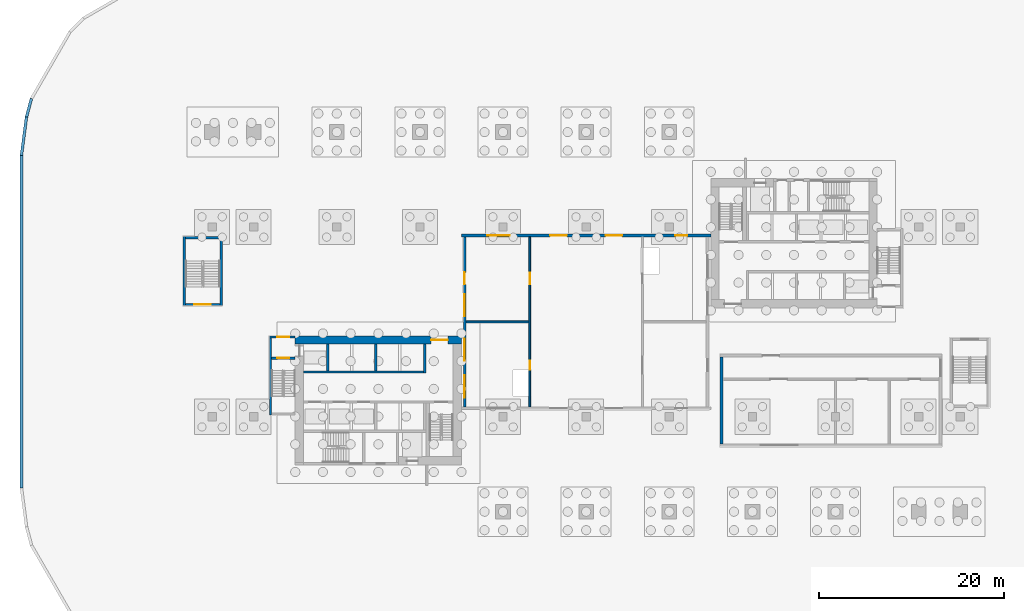
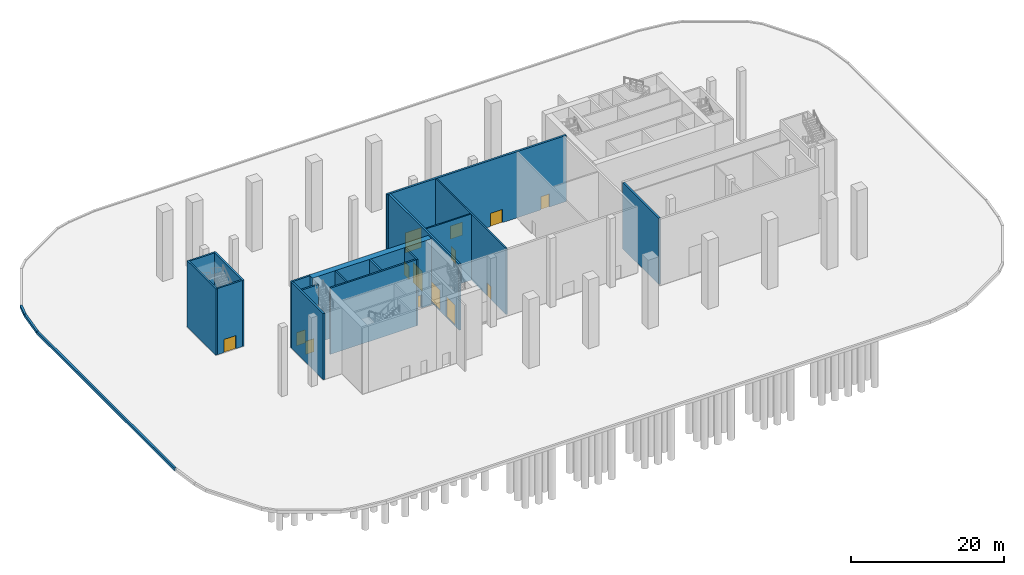
# One storey, part 6 of 26: 20 walls, 10 doors, 4 windows, 14 openings.
"""IFC4 building model written with IfcOpenShell, lengths in metres."""

import ifcopenshell
import ifcopenshell.guid

model = None  # the IFC model being written
_history = None  # IfcOwnerHistory: only IFC2X3 demands one
_inside = {}  # id of a spatial element -> (the spatial element, [elements in it])
_under = {}  # id of a project, library or spatial element -> (it, [spatial elements below it])
_declared = {}  # id of a project -> (the project, [libraries it declares])
_typed = {}  # id of a type object -> (the type object, [elements of that type])
_made_of = {}  # id of a material, layer set ... -> (it, [elements and type objects made of it])


def new_model(schema):
    """Start an empty IFC model of exactly this schema.

    Asked for "IFC4X3", IfcOpenShell would pick the latest addendum, in which some entities
    have other attributes; the version numbers below select the first issue.
    IFC2X3 requires an IfcOwnerHistory on every rooted entity: one is made here for all.
    """
    global model, _history
    if schema == "IFC4X3":
        model = ifcopenshell.file(schema_version=(4, 3, 0, 0))
    else:
        model = ifcopenshell.file(schema=schema)
    _inside.clear()
    _under.clear()
    _declared.clear()
    _typed.clear()
    _made_of.clear()
    _history = None
    if model.schema == "IFC2X3":
        org = make("IfcOrganization", Name="unknown")
        user = make(
            "IfcPersonAndOrganization",
            ThePerson=make("IfcPerson", FamilyName="unknown"),
            TheOrganization=org,
        )
        app = make(
            "IfcApplication",
            ApplicationDeveloper=org,
            Version="unknown",
            ApplicationFullName="unknown",
            ApplicationIdentifier="unknown",
        )
        _history = make(
            "IfcOwnerHistory",
            OwningUser=user,
            OwningApplication=app,
            ChangeAction="ADDED",
            CreationDate=0,
        )
    return model


def make(cls, **values):
    """One entity of the class cls with the attributes given. An attribute that is None is left unset."""
    return model.create_entity(
        cls, **{name: value for name, value in values.items() if value is not None}
    )


def rooted(cls, **values):
    """An entity with a GlobalId (a new one), such as an element, a storey or a relation."""
    return make(cls, GlobalId=ifcopenshell.guid.new(), OwnerHistory=_history, **values)


def si_unit(unit_type, name, prefix=None):
    """IfcSIUnit, for example si_unit("LENGTHUNIT", "METRE", prefix="MILLI")."""
    return make("IfcSIUnit", UnitType=unit_type, Prefix=prefix, Name=name)


def assignment(units):
    """IfcUnitAssignment: the units of a project."""
    return None if units is None else make("IfcUnitAssignment", Units=units)


def point(xyz):
    """IfcCartesianPoint."""
    return None if xyz is None else make("IfcCartesianPoint", Coordinates=xyz)


def direction(xyz):
    """IfcDirection."""
    return None if xyz is None else make("IfcDirection", DirectionRatios=xyz)


def frame(location, z_axis=None, x_axis=None):
    """IfcAxis2Placement3D, a coordinate frame: its origin and axes. An axis left out is left unset."""
    return make(
        "IfcAxis2Placement3D",
        Location=point(location),
        Axis=direction(z_axis),
        RefDirection=direction(x_axis),
    )


def frame_2d(location, x_axis=None):
    """IfcAxis2Placement2D, a coordinate frame in the plane: its origin and x axis."""
    return make(
        "IfcAxis2Placement2D", Location=point(location), RefDirection=direction(x_axis)
    )


def origin():
    """The frame at (0, 0, 0) with its axes left unset."""
    return frame((0.0, 0.0, 0.0))


def place(relative_to, where):
    """IfcLocalPlacement: puts the frame where relative to a parent placement (None: the world)."""
    return make(
        "IfcLocalPlacement", PlacementRelTo=relative_to, RelativePlacement=where
    )


def context(
    kind, dimensions, precision=None, world=None, true_north=None, identifier=None
):
    """IfcGeometricRepresentationContext, for example the 3D "Model" context."""
    return make(
        "IfcGeometricRepresentationContext",
        ContextIdentifier=identifier,
        ContextType=kind,
        CoordinateSpaceDimension=dimensions,
        Precision=precision,
        WorldCoordinateSystem=world,
        TrueNorth=true_north,
    )


def subcontext(parent, identifier, kind, view, scale=None):
    """IfcGeometricRepresentationSubContext, for example "Body" below "Model"."""
    return make(
        "IfcGeometricRepresentationSubContext",
        ContextIdentifier=identifier,
        ContextType=kind,
        ParentContext=parent,
        TargetScale=scale,
        TargetView=view,
    )


def project(units=None, contexts=None):
    """IfcProject with its units and contexts."""
    return rooted(
        "IfcProject",
        Name="project",
        RepresentationContexts=contexts,
        UnitsInContext=assignment(units),
    )


def spatial(cls, under=None, at=None, **own):
    """A site, building, storey or space (cls), placed at a placement, below another one or the project."""
    s = rooted(cls, ObjectPlacement=at, **own)
    if under is not None:
        _under.setdefault(under.id(), (under, []))[1].append(s)
    return s


def polyline(points):
    """IfcPolyline through the points."""
    return make("IfcPolyline", Points=[point(p) for p in points])


def profile(cls, at=None, kind="AREA", **sizes):
    """A parametric profile (cls). Its sizes go by their IFC names, for example OverallWidth=200.0."""
    return make(cls, ProfileType=kind, Position=at, **sizes)


def rectangle(**sizes):
    """IfcRectangleProfileDef."""
    return profile("IfcRectangleProfileDef", **sizes)


def outline(outer, holes=None, kind="AREA"):
    """IfcArbitraryClosedProfileDef: a profile drawn as a closed curve; with holes, ...WithVoids."""
    if holes is None:
        return make("IfcArbitraryClosedProfileDef", ProfileType=kind, OuterCurve=outer)
    return make(
        "IfcArbitraryProfileDefWithVoids",
        ProfileType=kind,
        OuterCurve=outer,
        InnerCurves=holes,
    )


def extrude(swept, where, along, depth):
    """IfcExtrudedAreaSolid: the profile swept, set in the frame where, extruded along a direction by depth."""
    return make(
        "IfcExtrudedAreaSolid",
        SweptArea=swept,
        Position=where,
        ExtrudedDirection=direction(along),
        Depth=depth,
    )


def shape(context_of_items, identifier, shape_type, items):
    """IfcShapeRepresentation: the items that make up one representation, for example the "Body"."""
    return make(
        "IfcShapeRepresentation",
        ContextOfItems=context_of_items,
        RepresentationIdentifier=identifier,
        RepresentationType=shape_type,
        Items=items,
    )


def material(Name=None, Category=None):
    """IfcMaterial."""
    return make("IfcMaterial", Name=Name, Category=Category)


def layer(
    of_material, thickness, ventilated=None, Name=None, Category=None, Priority=None
):
    """IfcMaterialLayer: one layer of a wall or slab, of a material (None: an air gap)."""
    return make(
        "IfcMaterialLayer",
        Material=of_material,
        LayerThickness=thickness,
        IsVentilated=ventilated,
        Name=Name,
        Category=Category,
        Priority=Priority,
    )


def layer_set(layers, Name=None):
    """IfcMaterialLayerSet."""
    return make("IfcMaterialLayerSet", MaterialLayers=layers, LayerSetName=Name)


def made_of(thing, what):
    """Note that an element or type object is made of a material, layer set ...; save() writes the relation."""
    if what is not None:
        _made_of.setdefault(what.id(), (what, []))[1].append(thing)
    return thing


def type_object(cls, material=None, **own):
    """A type object (cls), such as IfcWallType, which elements share."""
    return made_of(rooted(cls, **own), material)


def element(
    cls,
    number,
    at=None,
    inside=None,
    cuts=None,
    type_object=None,
    material=None,
    context=None,
    identifier="Body",
    shape_type=None,
    held_by="IfcProductDefinitionShape",
    body=None,
    shapes=None,
    **own,
):
    """One element of the class cls, such as IfcWall. Its Tag is "e" and its number.

    at: its placement. inside: the storey or other place that contains it. cuts: it is an
    opening in that element (IfcRelVoidsElement). A single representation is given by context,
    identifier, shape_type and body (its items); several are given by shapes. held_by: the class
    of the entity that holds the representations. save() writes the other relations.
    """
    e = rooted(cls, Tag="e%d" % number, ObjectPlacement=at, **own)
    if body is not None:
        shapes = [shape(context, identifier, shape_type, body)]
    if shapes is not None:
        e.Representation = make(held_by, Representations=shapes)
    if inside is not None:
        _inside.setdefault(inside.id(), (inside, []))[1].append(e)
    if cuts is not None:
        rooted(
            "IfcRelVoidsElement", RelatingBuildingElement=cuts, RelatedOpeningElement=e
        )
    if type_object is not None:
        _typed.setdefault(type_object.id(), (type_object, []))[1].append(e)
    return made_of(e, material)


def fill(opening, filler):
    """IfcRelFillsElement: the door or window that sits in an opening."""
    return rooted(
        "IfcRelFillsElement",
        RelatingOpeningElement=opening,
        RelatedBuildingElement=filler,
    )


def aggregate(whole, parts):
    """IfcRelAggregates: a whole, such as a stair, and the parts it consists of."""
    return rooted("IfcRelAggregates", RelatingObject=whole, RelatedObjects=parts)


def save(model, path):
    """Write the relations noted so far, then the file.

    IfcRelAggregates (storeys below a building ...), IfcRelContainedInSpatialStructure (elements
    in a storey), IfcRelDefinesByType, IfcRelAssociatesMaterial and IfcRelDeclares: one each for
    every whole, place, type object, material and project.
    """
    for whole, parts in _under.values():
        aggregate(whole, parts)
    for where, things in _inside.values():
        rooted(
            "IfcRelContainedInSpatialStructure",
            RelatedElements=things,
            RelatingStructure=where,
        )
    for kind, things in _typed.values():
        rooted("IfcRelDefinesByType", RelatedObjects=things, RelatingType=kind)
    for what, things in _made_of.values():
        rooted("IfcRelAssociatesMaterial", RelatedObjects=things, RelatingMaterial=what)
    for by, libraries in _declared.values():
        rooted("IfcRelDeclares", RelatingContext=by, RelatedDefinitions=libraries)
    model.write(path)


model = new_model("IFC4")

# Units and contexts
model_context = context("Model", 3, precision=1e-05, world=origin(), true_north=direction((0.0, 1.0)))
body_context = subcontext(model_context, "Body", "Model", "MODEL_VIEW")
ifc_project = project(units=[si_unit("LENGTHUNIT", "METRE"), si_unit("AREAUNIT", "SQUARE_METRE"), si_unit("VOLUMEUNIT", "CUBIC_METRE"), si_unit("PLANEANGLEUNIT", "RADIAN"), si_unit("MASSUNIT", "GRAM", prefix="KILO")], contexts=[model_context])

# Site, building, storey
site_placement = place(None, origin())
site = spatial("IfcSite", under=ifc_project, at=site_placement, CompositionType="ELEMENT")
building_placement = place(site_placement, origin())
building = spatial("IfcBuilding", under=site, at=building_placement, Name="Kajstack Hotel Tower", CompositionType="ELEMENT")
storey_placement = place(building_placement, origin())
storey = spatial("IfcBuildingStorey", under=building, at=storey_placement, Name="L00", CompositionType="ELEMENT", Elevation=0.0)

# Wall, opening, door
ifc_material_1 = material(Name="Concrete C60/75", Category="concrete")
ifc_layer_1 = layer(ifc_material_1, 0.89990234375)
ifc_layer_set_1 = layer_set([ifc_layer_1], Name="Core wall 900")
wall_type_1 = type_object("IfcWallType", Name="Core wall 900", PredefinedType="SHEAR", material=ifc_layer_set_1)
wall_1_placement = place(storey_placement, frame((-31.5, -1.949951171875, 0.0), z_axis=(0.0, 0.0, 1.0), x_axis=(1.0, 0.0, 0.0)))
wall_1 = element("IfcWall", 1, at=wall_1_placement, inside=storey, type_object=wall_type_1, Name="Core wall W RN", PredefinedType="SHEAR", context=body_context, shape_type="SweptSolid", body=[
    extrude(rectangle(XDim=18.0, YDim=0.89990234375, at=frame_2d((9.0, 0.0))), origin(), (0.0, 0.0, 1.0), 10.550048828125),
])
opening_1_placement = place(wall_1_placement, frame((14.72509765625, 0.0, 0.0)))
opening_1 = element("IfcOpeningElement", 2, at=opening_1_placement, cuts=wall_1, Name="Opening 00W06", PredefinedType="OPENING", context=body_context, shape_type="SweptSolid", body=[
    extrude(rectangle(XDim=1.800048828125, YDim=2.10009765625, at=frame_2d((0.89990234375, 1.050048828125))), frame((0.0, 0.4599609375, 0.0), z_axis=(0.0, -1.0, 0.0), x_axis=(1.0, 0.0, 0.0)), (0.0, 0.0, 1.0), 0.919921875),
])
ifc_material_2 = material(Name="Glazed steel frame, fire-rated glass", Category="steel")
door_type_1 = type_object("IfcDoorType", Name="Lobby double door 1800", OperationType="DOUBLE_DOOR_DOUBLE_SWING", PredefinedType="DOOR", material=ifc_material_2)
door_1_placement = place(opening_1_placement, origin())
door_1 = element("IfcDoor", 3, at=door_1_placement, inside=storey, type_object=door_type_1, Name="Door 00W06", OperationType="DOUBLE_DOOR_DOUBLE_SWING", OverallHeight=2.10009765625, OverallWidth=1.800048828125, PredefinedType="DOOR", context=body_context, shape_type="SweptSolid", body=[
    extrude(rectangle(XDim=1.800048828125, YDim=2.10009765625, at=frame_2d((0.89990234375, 1.050048828125))), frame((0.0, 0.02490234375, 0.0), z_axis=(0.0, -1.0, 0.0), x_axis=(1.0, 0.0, 0.0)), (0.0, 0.0, 1.0), 0.050048828125),
])
fill(opening_1, door_1)

# Wall, openings, doors, window
ifc_material_3 = material(Name="Terracotta-faced masonry", Category="masonry")
ifc_layer_2 = layer(ifc_material_3, 0.300048828125)
ifc_layer_set_2 = layer_set([ifc_layer_2], Name="Ground pavilion wall 300")
wall_type_2 = type_object("IfcWallType", Name="Ground pavilion wall 300", PredefinedType="SOLIDWALL", material=ifc_layer_set_2)
wall_2_placement = place(storey_placement, frame((-13.510009765625, 9.35009765625, 0.0), z_axis=(0.0, 0.0, 1.0), x_axis=(1.0, 0.0, 0.0)))
wall_2 = element("IfcWall", 4, at=wall_2_placement, inside=storey, type_object=wall_type_2, Name="External wall APN", PredefinedType="SOLIDWALL", context=body_context, shape_type="SweptSolid", body=[
    extrude(rectangle(XDim=27.02001953125, YDim=0.300048828125, at=frame_2d((13.510009765625, 0.0))), origin(), (0.0, 0.0, 1.0), 10.550048828125),
])
opening_2_placement = place(wall_2_placement, frame((9.610107421875, 0.0, 0.0)))
opening_2 = element("IfcOpeningElement", 5, at=opening_2_placement, cuts=wall_2, Name="Opening 00P01", PredefinedType="OPENING", context=body_context, shape_type="SweptSolid", body=[
    extrude(rectangle(XDim=1.800048828125, YDim=2.10009765625, at=frame_2d((0.89990234375, 1.050048828125))), frame((0.0, 0.159912109375, 0.0), z_axis=(0.0, -1.0, 0.0), x_axis=(1.0, 0.0, 0.0)), (0.0, 0.0, 1.0), 0.320068359375),
])
opening_3_placement = place(wall_2_placement, frame((15.610107421875, 0.0, 0.0)))
opening_3 = element("IfcOpeningElement", 6, at=opening_3_placement, cuts=wall_2, Name="Opening 00P02", PredefinedType="OPENING", context=body_context, shape_type="SweptSolid", body=[
    extrude(rectangle(XDim=1.800048828125, YDim=2.10009765625, at=frame_2d((0.89990234375, 1.050048828125))), frame((0.0, 0.159912109375, 0.0), z_axis=(0.0, -1.0, 0.0), x_axis=(1.0, 0.0, 0.0)), (0.0, 0.0, 1.0), 0.320068359375),
])
opening_4_placement = place(wall_2_placement, frame((23.159912109375, 0.0, 0.0)))
opening_4 = element("IfcOpeningElement", 7, at=opening_4_placement, cuts=wall_2, Name="Opening 00P03", PredefinedType="OPENING", context=body_context, shape_type="SweptSolid", body=[
    extrude(rectangle(XDim=1.300048828125, YDim=2.10009765625, at=frame_2d((0.64990234375, 1.050048828125))), frame((0.0, 0.159912109375, 0.0), z_axis=(0.0, -1.0, 0.0), x_axis=(1.0, 0.0, 0.0)), (0.0, 0.0, 1.0), 0.320068359375),
])
opening_5_placement = place(wall_2_placement, frame((2.81005859375, 0.0, 0.199951171875)))
opening_5 = element("IfcOpeningElement", 8, at=opening_5_placement, cuts=wall_2, Name="Opening W00APW0", PredefinedType="OPENING", context=body_context, shape_type="SweptSolid", body=[
    extrude(rectangle(XDim=2.39990234375, YDim=3.199951171875, at=frame_2d((1.199951171875, 1.60009765625))), frame((0.0, 0.159912109375, 0.0), z_axis=(0.0, -1.0, 0.0), x_axis=(1.0, 0.0, 0.0)), (0.0, 0.0, 1.0), 0.320068359375),
])
ifc_material_4 = material(Name="Glazed timber frame, fire-rated glass", Category="wood")
door_type_2 = type_object("IfcDoorType", Name="Public double door 1800", OperationType="DOUBLE_DOOR_DOUBLE_SWING", PredefinedType="DOOR", material=ifc_material_4)
door_2_placement = place(opening_2_placement, origin())
door_2 = element("IfcDoor", 9, at=door_2_placement, inside=storey, type_object=door_type_2, Name="Door 00P01", OperationType="DOUBLE_DOOR_DOUBLE_SWING", OverallHeight=2.10009765625, OverallWidth=1.800048828125, PredefinedType="DOOR", context=body_context, shape_type="SweptSolid", body=[
    extrude(rectangle(XDim=1.800048828125, YDim=2.10009765625, at=frame_2d((0.89990234375, 1.050048828125))), frame((0.0, 0.02490234375, 0.0), z_axis=(0.0, -1.0, 0.0), x_axis=(1.0, 0.0, 0.0)), (0.0, 0.0, 1.0), 0.050048828125),
])
fill(opening_2, door_2)
door_3_placement = place(opening_3_placement, origin())
door_3 = element("IfcDoor", 10, at=door_3_placement, inside=storey, type_object=door_type_2, Name="Door 00P02", OperationType="DOUBLE_DOOR_DOUBLE_SWING", OverallHeight=2.10009765625, OverallWidth=1.800048828125, PredefinedType="DOOR", context=body_context, shape_type="SweptSolid", body=[
    extrude(rectangle(XDim=1.800048828125, YDim=2.10009765625, at=frame_2d((0.89990234375, 1.050048828125))), frame((0.0, 0.02490234375, 0.0), z_axis=(0.0, -1.0, 0.0), x_axis=(1.0, 0.0, 0.0)), (0.0, 0.0, 1.0), 0.050048828125),
])
fill(opening_3, door_3)
ifc_material_5 = material(Name="Steel leaf, fire-rated", Category="steel")
door_type_3 = type_object("IfcDoorType", Name="Public exit door 1300", OperationType="SINGLE_SWING_LEFT", PredefinedType="DOOR", material=ifc_material_5)
door_4_placement = place(opening_4_placement, origin())
door_4 = element("IfcDoor", 11, at=door_4_placement, inside=storey, type_object=door_type_3, Name="Door 00P03", OperationType="SINGLE_SWING_LEFT", OverallHeight=2.10009765625, OverallWidth=1.300048828125, PredefinedType="DOOR", context=body_context, shape_type="SweptSolid", body=[
    extrude(rectangle(XDim=1.300048828125, YDim=2.10009765625, at=frame_2d((0.64990234375, 1.050048828125))), frame((0.0, 0.02490234375, 0.0), z_axis=(0.0, -1.0, 0.0), x_axis=(1.0, 0.0, 0.0)), (0.0, 0.0, 1.0), 0.050048828125),
])
fill(opening_4, door_4)
ifc_material_6 = material(Name="Glass, aluminium frame", Category="aluminium")
window_type = type_object("IfcWindowType", Name="Storefront window 2400", PartitioningType="SINGLE_PANEL", PredefinedType="WINDOW", material=ifc_material_6)
window_1_placement = place(opening_5_placement, origin())
window_1 = element("IfcWindow", 12, at=window_1_placement, inside=storey, type_object=window_type, Name="Storefront window", OverallHeight=3.199951171875, OverallWidth=2.39990234375, PartitioningType="SINGLE_PANEL", PredefinedType="WINDOW", context=body_context, shape_type="SweptSolid", body=[
    extrude(rectangle(XDim=2.39990234375, YDim=3.199951171875, at=frame_2d((1.199951171875, 1.60009765625))), frame((0.0, 0.030029296875, 0.0), z_axis=(0.0, -1.0, 0.0), x_axis=(1.0, 0.0, 0.0)), (0.0, 0.0, 1.0), 0.06005859375),
])
fill(opening_5, window_1)

# Wall, openings, door, windows
wall_3_placement = place(storey_placement, frame((-13.14990234375, -9.199951171875, 0.0), z_axis=(0.0, 0.0, 1.0), x_axis=(0.0, 1.0, 0.0)))
wall_3 = element("IfcWall", 13, at=wall_3_placement, inside=storey, type_object=wall_type_2, Name="External wall APW", PredefinedType="SOLIDWALL", context=body_context, shape_type="SweptSolid", body=[
    extrude(rectangle(XDim=18.39990234375, YDim=0.300048828125, at=frame_2d((9.199951171875, 0.0))), origin(), (0.0, 0.0, 1.0), 10.550048828125),
])
opening_6_placement = place(wall_3_placement, frame((13.25, 0.0, 0.0)))
opening_6 = element("IfcOpeningElement", 14, at=opening_6_placement, cuts=wall_3, Name="Opening 00P07", PredefinedType="OPENING", context=body_context, shape_type="SweptSolid", body=[
    extrude(rectangle(XDim=1.300048828125, YDim=2.10009765625, at=frame_2d((0.64990234375, 1.050048828125))), frame((0.0, 0.159912109375, 0.0), z_axis=(0.0, -1.0, 0.0), x_axis=(1.0, 0.0, 0.0)), (0.0, 0.0, 1.0), 0.320068359375),
])
opening_7_placement = place(wall_3_placement, frame((9.800048828125, 0.0, 0.199951171875)))
opening_7 = element("IfcOpeningElement", 15, at=opening_7_placement, cuts=wall_3, Name="Opening W00APW3", PredefinedType="OPENING", context=body_context, shape_type="SweptSolid", body=[
    extrude(rectangle(XDim=2.39990234375, YDim=3.199951171875, at=frame_2d((1.199951171875, 1.60009765625))), frame((0.0, 0.159912109375, 0.0), z_axis=(0.0, -1.0, 0.0), x_axis=(1.0, 0.0, 0.0)), (0.0, 0.0, 1.0), 0.320068359375),
])
opening_8_placement = place(wall_3_placement, frame((5.0, 0.0, 0.199951171875)))
opening_8 = element("IfcOpeningElement", 16, at=opening_8_placement, cuts=wall_3, Name="Opening W00APW4", PredefinedType="OPENING", context=body_context, shape_type="SweptSolid", body=[
    extrude(rectangle(XDim=2.39990234375, YDim=3.199951171875, at=frame_2d((1.199951171875, 1.60009765625))), frame((0.0, 0.159912109375, 0.0), z_axis=(0.0, -1.0, 0.0), x_axis=(1.0, 0.0, 0.0)), (0.0, 0.0, 1.0), 0.320068359375),
])
opening_9_placement = place(wall_3_placement, frame((1.0, 0.0, 0.199951171875)))
opening_9 = element("IfcOpeningElement", 17, at=opening_9_placement, cuts=wall_3, Name="Opening W00APW5", PredefinedType="OPENING", context=body_context, shape_type="SweptSolid", body=[
    extrude(rectangle(XDim=2.39990234375, YDim=3.199951171875, at=frame_2d((1.199951171875, 1.60009765625))), frame((0.0, 0.159912109375, 0.0), z_axis=(0.0, -1.0, 0.0), x_axis=(1.0, 0.0, 0.0)), (0.0, 0.0, 1.0), 0.320068359375),
])
door_5_placement = place(opening_6_placement, origin())
door_5 = element("IfcDoor", 18, at=door_5_placement, inside=storey, type_object=door_type_3, Name="Door 00P07", OperationType="SINGLE_SWING_LEFT", OverallHeight=2.10009765625, OverallWidth=1.300048828125, PredefinedType="DOOR", context=body_context, shape_type="SweptSolid", body=[
    extrude(rectangle(XDim=1.300048828125, YDim=2.10009765625, at=frame_2d((0.64990234375, 1.050048828125))), frame((0.0, 0.02490234375, 0.0), z_axis=(0.0, -1.0, 0.0), x_axis=(1.0, 0.0, 0.0)), (0.0, 0.0, 1.0), 0.050048828125),
])
fill(opening_6, door_5)
window_2_placement = place(opening_7_placement, origin())
window_2 = element("IfcWindow", 19, at=window_2_placement, inside=storey, type_object=window_type, Name="Storefront window", OverallHeight=3.199951171875, OverallWidth=2.39990234375, PartitioningType="SINGLE_PANEL", PredefinedType="WINDOW", context=body_context, shape_type="SweptSolid", body=[
    extrude(rectangle(XDim=2.39990234375, YDim=3.199951171875, at=frame_2d((1.199951171875, 1.60009765625))), frame((0.0, 0.030029296875, 0.0), z_axis=(0.0, -1.0, 0.0), x_axis=(1.0, 0.0, 0.0)), (0.0, 0.0, 1.0), 0.06005859375),
])
fill(opening_7, window_2)
window_3_placement = place(opening_8_placement, origin())
window_3 = element("IfcWindow", 20, at=window_3_placement, inside=storey, type_object=window_type, Name="Storefront window", OverallHeight=3.199951171875, OverallWidth=2.39990234375, PartitioningType="SINGLE_PANEL", PredefinedType="WINDOW", context=body_context, shape_type="SweptSolid", body=[
    extrude(rectangle(XDim=2.39990234375, YDim=3.199951171875, at=frame_2d((1.199951171875, 1.60009765625))), frame((0.0, 0.030029296875, 0.0), z_axis=(0.0, -1.0, 0.0), x_axis=(1.0, 0.0, 0.0)), (0.0, 0.0, 1.0), 0.06005859375),
])
fill(opening_8, window_3)
window_4_placement = place(opening_9_placement, origin())
window_4 = element("IfcWindow", 21, at=window_4_placement, inside=storey, type_object=window_type, Name="Storefront window", OverallHeight=3.199951171875, OverallWidth=2.39990234375, PartitioningType="SINGLE_PANEL", PredefinedType="WINDOW", context=body_context, shape_type="SweptSolid", body=[
    extrude(rectangle(XDim=2.39990234375, YDim=3.199951171875, at=frame_2d((1.199951171875, 1.60009765625))), frame((0.0, 0.030029296875, 0.0), z_axis=(0.0, -1.0, 0.0), x_axis=(1.0, 0.0, 0.0)), (0.0, 0.0, 1.0), 0.06005859375),
])
fill(opening_9, window_4)

# Walls
wall_4_placement = place(storey_placement, frame((14.64990234375, -13.199951171875, 0.0), z_axis=(0.0, 0.0, 1.0), x_axis=(0.0, 1.0, 0.0)))
element("IfcWall", 22, at=wall_4_placement, inside=storey, type_object=wall_type_2, Name="External wall SPW", PredefinedType="SOLIDWALL", context=body_context, shape_type="SweptSolid", body=[
    extrude(rectangle(XDim=9.39990234375, YDim=0.300048828125, at=frame_2d((4.699951171875, 0.0))), origin(), (0.0, 0.0, 1.0), 10.550048828125),
])
ifc_material_7 = material(Name="Concrete C50/60", Category="concrete")
ifc_layer_3 = layer(ifc_material_7, 0.300048828125)
ifc_layer_set_3 = layer_set([ifc_layer_3], Name="Hoistway divider wall 300")
wall_type_3 = type_object("IfcWallType", Name="Hoistway divider wall 300", PredefinedType="SHEAR", material=ifc_layer_set_3)
wall_5_placement = place(storey_placement, frame((-22.77490234375, -5.300048828125, 0.0), z_axis=(0.0, 0.0, 1.0), x_axis=(0.0, 1.0, 0.0)))
element("IfcWall", 23, at=wall_5_placement, inside=storey, type_object=wall_type_3, Name="Core wall W AP2", PredefinedType="SHEAR", context=body_context, shape_type="SweptSolid", body=[
    extrude(rectangle(XDim=2.900146484375, YDim=0.25, at=frame_2d((1.4501953125, 0.0))), origin(), (0.0, 0.0, 1.0), 10.550048828125),
])
ifc_material_8 = material(Name="Concrete C30/37", Category="concrete")
ifc_layer_4 = layer(ifc_material_8, 0.300048828125)
ifc_layer_set_4 = layer_set([ifc_layer_4], Name="PLINTH-KERB")
wall_type_4 = type_object("IfcWallType", Name="PLINTH-KERB", PredefinedType="SOLIDWALL", material=ifc_layer_set_4)
wall_6_placement = place(storey_placement, frame((0.0, 0.0, -0.300048828125)))
element("IfcWall", 24, at=wall_6_placement, inside=storey, type_object=wall_type_4, Name="Plaza kerb 29", PredefinedType="SOLIDWALL", context=body_context, shape_type="SweptSolid", body=[
    extrude(outline(polyline([(-59.924072265625, 24.1220703125), (-60.4521484375, 22.150634765625), (-60.7470703125, 22.209228515625), (-60.20361328125, 24.23779296875), (-59.924072265625, 24.1220703125)])), origin(), (0.0, 0.0, 1.0), 0.449951171875),
])
wall_7_placement = place(storey_placement, frame((0.0, 0.0, -0.300048828125)))
element("IfcWall", 25, at=wall_7_placement, inside=storey, type_object=wall_type_4, Name="Plaza kerb 30", PredefinedType="SOLIDWALL", context=body_context, shape_type="SweptSolid", body=[
    extrude(outline(polyline([(-60.4521484375, 22.150634765625), (-61.0, 17.990234375), (-61.300048828125, 18.009765625), (-60.7470703125, 22.209228515625), (-60.4521484375, 22.150634765625)])), origin(), (0.0, 0.0, 1.0), 0.449951171875),
])
wall_8_placement = place(storey_placement, frame((0.0, 0.0, -0.300048828125)))
element("IfcWall", 26, at=wall_8_placement, inside=storey, type_object=wall_type_4, Name="Plaza kerb 31", PredefinedType="SOLIDWALL", context=body_context, shape_type="SweptSolid", body=[
    extrude(outline(polyline([(-61.0, 17.990234375), (-61.0, -17.990234375), (-61.300048828125, -18.009765625), (-61.300048828125, 18.009765625), (-61.0, 17.990234375)])), origin(), (0.0, 0.0, 1.0), 0.449951171875),
])

# Wall, openings, doors
ifc_material_9 = material(Name="Gypsum board on steel studs, mineral wool", Category="steel")
ifc_layer_5 = layer(ifc_material_9, 0.199951171875)
ifc_layer_set_5 = layer_set([ifc_layer_5], Name="Public partition 200")
wall_type_5 = type_object("IfcWallType", Name="Public partition 200", PredefinedType="PARTITIONING", material=ifc_layer_set_5)
wall_9_placement = place(storey_placement, frame((-6.10009765625, -9.199951171875, 0.0), z_axis=(0.0, 0.0, 1.0), x_axis=(0.0, 1.0, 0.0)))
wall_9 = element("IfcWall", 27, at=wall_9_placement, inside=storey, type_object=wall_type_5, Name="Partition APX0", PredefinedType="PARTITIONING", context=body_context, shape_type="SweptSolid", body=[
    extrude(rectangle(XDim=18.39990234375, YDim=0.199951171875, at=frame_2d((9.199951171875, 0.0))), origin(), (0.0, 0.0, 1.0), 10.550048828125),
])
opening_10_placement = place(wall_9_placement, frame((13.300048828125, 0.0, 0.0)))
opening_10 = element("IfcOpeningElement", 28, at=opening_10_placement, cuts=wall_9, Name="Opening 00P09", PredefinedType="OPENING", context=body_context, shape_type="SweptSolid", body=[
    extrude(rectangle(XDim=1.199951171875, YDim=2.10009765625, at=frame_2d((0.60009765625, 1.050048828125))), frame((0.0, 0.10986328125, 0.0), z_axis=(0.0, -1.0, 0.0), x_axis=(1.0, 0.0, 0.0)), (0.0, 0.0, 1.0), 0.219970703125),
])
opening_11_placement = place(wall_9_placement, frame((4.0, 0.0, 0.0)))
opening_11 = element("IfcOpeningElement", 29, at=opening_11_placement, cuts=wall_9, Name="Opening 00P10", PredefinedType="OPENING", context=body_context, shape_type="SweptSolid", body=[
    extrude(rectangle(XDim=1.0, YDim=2.10009765625, at=frame_2d((0.5, 1.050048828125))), frame((0.0, 0.10986328125, 0.0), z_axis=(0.0, -1.0, 0.0), x_axis=(1.0, 0.0, 0.0)), (0.0, 0.0, 1.0), 0.219970703125),
])
ifc_material_10 = material(Name="Timber leaf, fire-rated", Category="wood")
door_type_4 = type_object("IfcDoorType", Name="Public corridor door 1200", OperationType="SINGLE_SWING_LEFT", PredefinedType="DOOR", material=ifc_material_10)
door_6_placement = place(opening_10_placement, origin())
door_6 = element("IfcDoor", 30, at=door_6_placement, inside=storey, type_object=door_type_4, Name="Door 00P09", OperationType="SINGLE_SWING_LEFT", OverallHeight=2.10009765625, OverallWidth=1.199951171875, PredefinedType="DOOR", context=body_context, shape_type="SweptSolid", body=[
    extrude(rectangle(XDim=1.199951171875, YDim=2.10009765625, at=frame_2d((0.60009765625, 1.050048828125))), frame((0.0, 0.02490234375, 0.0), z_axis=(0.0, -1.0, 0.0), x_axis=(1.0, 0.0, 0.0)), (0.0, 0.0, 1.0), 0.050048828125),
])
fill(opening_10, door_6)
ifc_material_11 = material(Name="Timber leaf", Category="wood")
door_type_5 = type_object("IfcDoorType", Name="Public room door 1000", OperationType="SINGLE_SWING_LEFT", PredefinedType="DOOR", material=ifc_material_11)
door_7_placement = place(opening_11_placement, origin())
door_7 = element("IfcDoor", 31, at=door_7_placement, inside=storey, type_object=door_type_5, Name="Door 00P10", OperationType="SINGLE_SWING_LEFT", OverallHeight=2.10009765625, OverallWidth=1.0, PredefinedType="DOOR", context=body_context, shape_type="SweptSolid", body=[
    extrude(rectangle(XDim=1.0, YDim=2.10009765625, at=frame_2d((0.5, 1.050048828125))), frame((0.0, 0.02490234375, 0.0), z_axis=(0.0, -1.0, 0.0), x_axis=(1.0, 0.0, 0.0)), (0.0, 0.0, 1.0), 0.050048828125),
])
fill(opening_11, door_7)

# Wall
wall_10_placement = place(storey_placement, frame((-13.0, 0.0, 0.0), z_axis=(0.0, 0.0, 1.0), x_axis=(1.0, 0.0, 0.0)))
element("IfcWall", 32, at=wall_10_placement, inside=storey, type_object=wall_type_5, Name="Partition APH0", PredefinedType="PARTITIONING", context=body_context, shape_type="SweptSolid", body=[
    extrude(rectangle(XDim=6.800048828125, YDim=0.199951171875, at=frame_2d((3.39990234375, 0.0))), origin(), (0.0, 0.0, 1.0), 10.550048828125),
])

# Wall, opening, door
ifc_layer_6 = layer(ifc_material_9, 0.199951171875)
ifc_layer_set_6 = layer_set([ifc_layer_6], Name="Service partition 200")
wall_type_6 = type_object("IfcWallType", Name="Service partition 200", PredefinedType="PARTITIONING", material=ifc_layer_set_6)
wall_11_placement = place(storey_placement, frame((-34.300048828125, -1.625, 0.0), z_axis=(0.0, 0.0, 1.0), x_axis=(1.0, 0.0, 0.0)))
wall_11 = element("IfcWall", 33, at=wall_11_placement, inside=storey, type_object=wall_type_6, Name="Partition W SN", PredefinedType="PARTITIONING", context=body_context, shape_type="SweptSolid", body=[
    extrude(rectangle(XDim=2.800048828125, YDim=0.25, at=frame_2d((1.39990234375, 0.0))), origin(), (0.0, 0.0, 1.0), 10.550048828125),
])
opening_12_placement = place(wall_11_placement, frame((0.875, 0.0, 0.0)))
opening_12 = element("IfcOpeningElement", 34, at=opening_12_placement, cuts=wall_11, Name="Opening 00W07", PredefinedType="OPENING", context=body_context, shape_type="SweptSolid", body=[
    extrude(rectangle(XDim=1.300048828125, YDim=2.10009765625, at=frame_2d((0.64990234375, 1.050048828125))), frame((0.0, 0.135009765625, 0.0), z_axis=(0.0, -1.0, 0.0), x_axis=(1.0, 0.0, 0.0)), (0.0, 0.0, 1.0), 0.27001953125),
])
door_type_6 = type_object("IfcDoorType", Name="Fire lobby door 1300", OperationType="SINGLE_SWING_LEFT", PredefinedType="DOOR", material=ifc_material_5)
door_8_placement = place(opening_12_placement, frame((1.300048828125, 0.0, 0.0), z_axis=(0.0, 0.0, 1.0), x_axis=(-1.0, 0.0, 0.0)))
door_8 = element("IfcDoor", 35, at=door_8_placement, inside=storey, type_object=door_type_6, Name="Door 00W07", OperationType="SINGLE_SWING_RIGHT", OverallHeight=2.10009765625, OverallWidth=1.300048828125, PredefinedType="DOOR", context=body_context, shape_type="SweptSolid", body=[
    extrude(rectangle(XDim=1.300048828125, YDim=2.10009765625, at=frame_2d((0.64990234375, 1.050048828125))), frame((0.0, 0.02490234375, 0.0), z_axis=(0.0, -1.0, 0.0), x_axis=(1.0, 0.0, 0.0)), (0.0, 0.0, 1.0), 0.050048828125),
])
fill(opening_12, door_8)

# Walls
ifc_layer_7 = layer(ifc_material_7, 0.25)
ifc_layer_set_7 = layer_set([ifc_layer_7], Name="Shaft wall 250")
wall_type_7 = type_object("IfcWallType", Name="Shaft wall 250", PredefinedType="SHEAR", material=ifc_layer_set_7)
wall_12_placement = place(storey_placement, frame((-30.60009765625, -5.425048828125, 0.0), z_axis=(0.0, 0.0, 1.0), x_axis=(1.0, 0.0, 0.0)))
element("IfcWall", 36, at=wall_12_placement, inside=storey, type_object=wall_type_7, Name="Core wall W FA", PredefinedType="SHEAR", context=body_context, shape_type="SweptSolid", body=[
    extrude(rectangle(XDim=13.0, YDim=0.25, at=frame_2d((6.5, 0.0))), origin(), (0.0, 0.0, 1.0), 10.550048828125),
])
wall_13_placement = place(storey_placement, frame((-17.47509765625, -5.550048828125, 0.0), z_axis=(0.0, 0.0, 1.0), x_axis=(0.0, 1.0, 0.0)))
element("IfcWall", 37, at=wall_13_placement, inside=storey, type_object=wall_type_7, Name="Core wall W AE", PredefinedType="SHEAR", context=body_context, shape_type="SweptSolid", body=[
    extrude(rectangle(XDim=3.150146484375, YDim=0.25, at=frame_2d((1.5751953125, 0.0))), origin(), (0.0, 0.0, 1.0), 10.550048828125),
])
wall_14_placement = place(storey_placement, frame((-27.97509765625, -5.300048828125, 0.0), z_axis=(0.0, 0.0, 1.0), x_axis=(0.0, 1.0, 0.0)))
element("IfcWall", 38, at=wall_14_placement, inside=storey, type_object=wall_type_7, Name="Core wall W AP0", PredefinedType="SHEAR", context=body_context, shape_type="SweptSolid", body=[
    extrude(rectangle(XDim=2.900146484375, YDim=0.25, at=frame_2d((1.4501953125, 0.0))), origin(), (0.0, 0.0, 1.0), 10.550048828125),
])

# Wall, opening, door
ifc_material_12 = material(Name="Concrete C40/50", Category="concrete")
ifc_layer_8 = layer(ifc_material_12, 0.25)
ifc_layer_set_8 = layer_set([ifc_layer_8], Name="Stair enclosure wall 250")
wall_type_8 = type_object("IfcWallType", Name="Stair enclosure wall 250", PredefinedType="SHEAR", material=ifc_layer_set_8)
wall_15_placement = place(storey_placement, frame((-34.050048828125, -3.925048828125, 0.0), z_axis=(0.0, 0.0, 1.0), x_axis=(1.0, 0.0, 0.0)))
wall_15 = element("IfcWall", 39, at=wall_15_placement, inside=storey, type_object=wall_type_8, Name="Core wall W W1N", PredefinedType="SHEAR", context=body_context, shape_type="SweptSolid", body=[
    extrude(rectangle(XDim=2.550048828125, YDim=0.25, at=frame_2d((1.27490234375, 0.0))), origin(), (0.0, 0.0, 1.0), 10.550048828125),
])
opening_13_placement = place(wall_15_placement, frame((0.625, 0.0, 0.0)))
opening_13 = element("IfcOpeningElement", 40, at=opening_13_placement, cuts=wall_15, Name="Opening 00W08", PredefinedType="OPENING", context=body_context, shape_type="SweptSolid", body=[
    extrude(rectangle(XDim=1.300048828125, YDim=2.10009765625, at=frame_2d((0.64990234375, 1.050048828125))), frame((0.0, 0.135009765625, 0.0), z_axis=(0.0, -1.0, 0.0), x_axis=(1.0, 0.0, 0.0)), (0.0, 0.0, 1.0), 0.27001953125),
])
door_type_7 = type_object("IfcDoorType", Name="Stair door 1300", OperationType="SINGLE_SWING_LEFT", PredefinedType="DOOR", material=ifc_material_5)
door_9_placement = place(opening_13_placement, origin())
door_9 = element("IfcDoor", 41, at=door_9_placement, inside=storey, type_object=door_type_7, Name="Door 00W08", OperationType="SINGLE_SWING_RIGHT", OverallHeight=2.10009765625, OverallWidth=1.300048828125, PredefinedType="DOOR", context=body_context, shape_type="SweptSolid", body=[
    extrude(rectangle(XDim=1.300048828125, YDim=2.10009765625, at=frame_2d((0.64990234375, 1.050048828125))), frame((0.0, 0.02490234375, 0.0), z_axis=(0.0, -1.0, 0.0), x_axis=(1.0, 0.0, 0.0)), (0.0, 0.0, 1.0), 0.050048828125),
])
fill(opening_13, door_9)

# Walls
wall_16_placement = place(storey_placement, frame((-34.175048828125, -10.10009765625, 0.0), z_axis=(0.0, 0.0, 1.0), x_axis=(0.0, 1.0, 0.0)))
element("IfcWall", 42, at=wall_16_placement, inside=storey, type_object=wall_type_8, Name="Core wall W W1W", PredefinedType="SHEAR", context=body_context, shape_type="SweptSolid", body=[
    extrude(rectangle(XDim=8.35009765625, YDim=0.25, at=frame_2d((4.175048828125, 0.0))), origin(), (0.0, 0.0, 1.0), 10.550048828125),
])
for number, where, z_axis, x_axis, name in (
    (43, (-43.52490234375, 1.75, 0.0), (0.0, 0.0, 1.0), (0.0, 1.0, 0.0), "Stair wall P1 W"),
    (44, (-39.52490234375, 1.75, 0.0), (0.0, 0.0, 1.0), (0.0, 1.0, 0.0), "Stair wall P1 E"),
):
    element("IfcWall", number, at=place(storey_placement, frame(where, z_axis=z_axis, x_axis=x_axis)), inside=storey, type_object=wall_type_8, Name=name, PredefinedType="SHEAR", context=body_context, shape_type="SweptSolid", body=[
        extrude(rectangle(XDim=7.5, YDim=0.25, at=frame_2d((3.75, 0.0))), origin(), (0.0, 0.0, 1.0), 10.550048828125),
    ])
wall_17_placement = place(storey_placement, frame((-43.39990234375, 9.125, 0.0), z_axis=(0.0, 0.0, 1.0), x_axis=(1.0, 0.0, 0.0)))
element("IfcWall", 45, at=wall_17_placement, inside=storey, type_object=wall_type_8, Name="Stair wall P1 F", PredefinedType="SHEAR", context=body_context, shape_type="SweptSolid", body=[
    extrude(rectangle(XDim=3.75, YDim=0.25, at=frame_2d((1.875, 0.0))), origin(), (0.0, 0.0, 1.0), 10.550048828125),
])

# Wall, opening, door
wall_18_placement = place(storey_placement, frame((-43.39990234375, 1.875, 0.0), z_axis=(0.0, 0.0, 1.0), x_axis=(1.0, 0.0, 0.0)))
wall_18 = element("IfcWall", 46, at=wall_18_placement, inside=storey, type_object=wall_type_8, Name="Stair wall P1 N", PredefinedType="SHEAR", context=body_context, shape_type="SweptSolid", body=[
    extrude(rectangle(XDim=3.75, YDim=0.25, at=frame_2d((1.875, 0.0))), origin(), (0.0, 0.0, 1.0), 10.550048828125),
])
opening_14_placement = place(wall_18_placement, frame((0.97509765625, 0.0, 0.0)))
opening_14 = element("IfcOpeningElement", 47, at=opening_14_placement, cuts=wall_18, Name="Opening 00P1", PredefinedType="OPENING", context=body_context, shape_type="SweptSolid", body=[
    extrude(rectangle(XDim=1.800048828125, YDim=2.10009765625, at=frame_2d((0.89990234375, 1.050048828125))), frame((0.0, 0.135009765625, 0.0), z_axis=(0.0, -1.0, 0.0), x_axis=(1.0, 0.0, 0.0)), (0.0, 0.0, 1.0), 0.27001953125),
])
door_type_8 = type_object("IfcDoorType", Name="Stair door 1800", OperationType="DOUBLE_DOOR_DOUBLE_SWING", PredefinedType="DOOR", material=ifc_material_5)
door_10_placement = place(opening_14_placement, origin())
door_10 = element("IfcDoor", 48, at=door_10_placement, inside=storey, type_object=door_type_8, Name="Door 00P1", OperationType="DOUBLE_DOOR_DOUBLE_SWING", OverallHeight=2.10009765625, OverallWidth=1.800048828125, PredefinedType="DOOR", context=body_context, shape_type="SweptSolid", body=[
    extrude(rectangle(XDim=1.800048828125, YDim=2.10009765625, at=frame_2d((0.89990234375, 1.050048828125))), frame((0.0, 0.02490234375, 0.0), z_axis=(0.0, -1.0, 0.0), x_axis=(1.0, 0.0, 0.0)), (0.0, 0.0, 1.0), 0.050048828125),
])
fill(opening_14, door_10)

save(model, "model.ifc")
